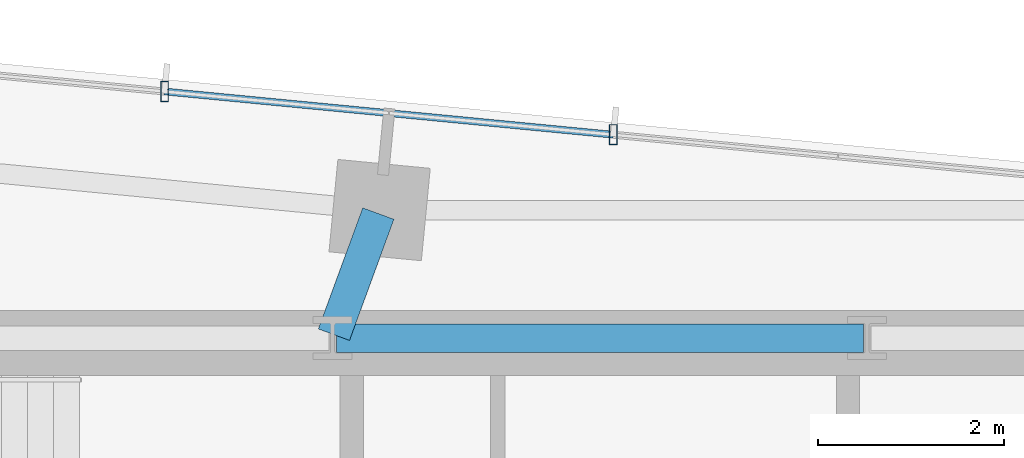
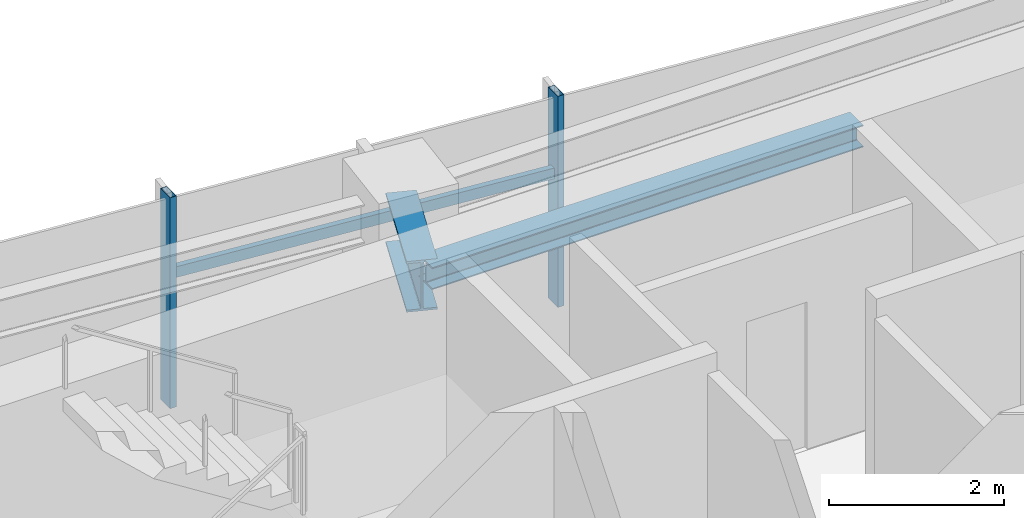
# One storey, part 8 of 20: 3 members, 2 beams, 1 element without a shape of its own.
"""IFC4 building model written with IfcOpenShell, lengths in metres."""

from ifc_helpers import new_model, si_unit, direction, frame, origin, origin_2d, place, context, subcontext, project, spatial, hollow_rectangle, i_section, extrude, source, transform, mapped, material, material_profile, profile_set, type_object, type_shapes, element, aggregate, save


model = new_model("IFC4")

# Units and contexts
model_context = context("Model", 3, precision=1e-05, world=origin(), true_north=direction((0.0, 1.0)))
body_context = subcontext(model_context, "Body", "Model", "MODEL_VIEW")
ifc_project = project(units=[si_unit("LENGTHUNIT", "METRE"), si_unit("AREAUNIT", "SQUARE_METRE"), si_unit("VOLUMEUNIT", "CUBIC_METRE"), si_unit("PLANEANGLEUNIT", "RADIAN"), si_unit("MASSUNIT", "GRAM", prefix="KILO")], contexts=[model_context])

# Site, building, storey
site_placement = place(None, origin())
site = spatial("IfcSite", under=ifc_project, at=site_placement, CompositionType="ELEMENT")
building_placement = place(site_placement, origin())
building = spatial("IfcBuilding", under=site, at=building_placement, Name="Astriad Promenade Condominiums", CompositionType="ELEMENT")
storey_placement = place(building_placement, frame((0.0, 0.0, 131.0)))
storey = spatial("IfcBuildingStorey", under=building, at=storey_placement, Name="L37", CompositionType="ELEMENT", Elevation=131.0)

# Beams
ifc_material_1 = material(Name="Steel ASTM A992 Grade 50", Category="steel")
ifc_material_profile_1 = material_profile(ifc_material_1, i_section(OverallWidth=0.3046875, OverallDepth=0.307861328125, WebThickness=0.010009765625, FlangeThickness=0.015380859375, FilletRadius=0.01513671875, at=origin_2d()), Name="W12X65")
ifc_profile_set_1 = profile_set([ifc_material_profile_1], Name="Steel ASTM A992 Grade 50")
beam_type_1 = type_object("IfcBeamType", Name="STEEL OPENING LINTEL W12X65", PredefinedType="LINTEL", material=ifc_profile_set_1)
shared_shape_1 = source(origin(), body_context, "Body", "SweptSolid", [
    extrude(i_section(OverallWidth=0.3046875, OverallDepth=0.307861328125, WebThickness=0.010009765625, FlangeThickness=0.015380859375, FilletRadius=0.01513671875, at=origin_2d()), origin(), (0.0, 0.0, 1.0), 5.68017578125),
])
type_shapes(beam_type_1, [shared_shape_1])
beam_1_placement = place(storey_placement, frame((33.159912109375, 24.0, 2.7861328125), z_axis=(1.0, 0.0, 0.0), x_axis=(0.0, 1.0, 0.0)))
element("IfcBeam", 1, at=beam_1_placement, inside=storey, type_object=beam_type_1, Name="Core Ring Beam CG-N2-L37", PredefinedType="LINTEL", context=body_context, shape_type="MappedRepresentation", body=[
    mapped(shared_shape_1, transform((0.0, 0.0, 0.0), scale=1.0)),
])
ifc_material_profile_2 = material_profile(ifc_material_1, i_section(OverallWidth=0.35791015625, OverallDepth=0.706298828125, WebThickness=0.018310546875, FlangeThickness=0.0302734375, FilletRadius=0.020263671875, at=origin_2d()), Name="W27X178")
ifc_profile_set_2 = profile_set([ifc_material_profile_2], Name="Steel ASTM A992 Grade 50")
beam_type_2 = type_object("IfcBeamType", Name="STEEL FLOOR GIRDER W27X178", PredefinedType="BEAM", material=ifc_profile_set_2)
shared_shape_2 = source(origin(), body_context, "Body", "SweptSolid", [
    extrude(i_section(OverallWidth=0.35791015625, OverallDepth=0.706298828125, WebThickness=0.018310546875, FlangeThickness=0.0302734375, FilletRadius=0.020263671875, at=origin_2d()), origin(), (0.0, 0.0, 1.0), 1.39013671875),
])
type_shapes(beam_type_2, [shared_shape_2])
beam_2_placement = place(storey_placement, frame((33.6123046875, 25.3427734375, 2.5869140625), z_axis=(-0.344223686797, -0.938887668173, 0.0), x_axis=(0.938887668173, -0.344223686797, 0.0)))
element("IfcBeam", 2, at=beam_2_placement, inside=storey, type_object=beam_type_2, Name="Primary Floor Girder PG-NC-L37", PredefinedType="BEAM", context=body_context, shape_type="MappedRepresentation", body=[
    mapped(shared_shape_2, transform((0.0, 0.0, 0.0), scale=1.0)),
])

# Curtain wall, members
ifc_material_2 = material(Name="Anodised aluminium Black Dark Glass Unitised", Category="aluminium")
curtain_wall_type = type_object("IfcCurtainWallType", Name="CW-B34-DARK", PredefinedType="USERDEFINED", material=ifc_material_2)
curtain_wall_placement = place(storey_placement, origin())
curtain_wall = element("IfcCurtainWall", 3, at=curtain_wall_placement, inside=storey, type_object=curtain_wall_type, Name="CW-L37-N", ObjectType="UNITISED_CURTAIN_WALL", PredefinedType="USERDEFINED")
ifc_material_3 = material(Name="Anodised aluminium 6063-T6 Black", Category="aluminium")
ifc_material_profile_3 = material_profile(ifc_material_3, hollow_rectangle(XDim=0.0849609375, YDim=0.219970703125, WallThickness=0.0048828125, at=origin_2d()), Name="ALU-MUL-85X220")
ifc_profile_set_3 = profile_set([ifc_material_profile_3], Name="Anodised aluminium 6063-T6 Black")
member_type_1 = type_object("IfcMemberType", Name="MUL-ALU-MUL-85X220", PredefinedType="MULLION", material=ifc_profile_set_3)
shared_shape_3 = source(origin(), body_context, "Body", "SweptSolid", [
    extrude(hollow_rectangle(XDim=0.0849609375, YDim=0.219970703125, WallThickness=0.0048828125, at=origin_2d()), origin(), (0.0, 0.0, 1.0), 2.93994140625),
])
type_shapes(member_type_1, [shared_shape_3])
member_1_placement = place(storey_placement, frame((31.30810546875, 26.658447265625, 0.0), z_axis=(0.0, 0.0, 1.0), x_axis=(1.0, 0.0, 0.0)))
member_1 = element("IfcMember", 4, at=member_1_placement, type_object=member_type_1, Name="CW-L37-N-MUL-01", PredefinedType="MULLION", context=body_context, shape_type="MappedRepresentation", body=[
    mapped(shared_shape_3, transform((0.0, 0.0, 0.0), scale=1.0)),
])
member_2_placement = place(storey_placement, frame((36.145751953125, 26.1923828125, 0.0), z_axis=(0.0, 0.0, 1.0), x_axis=(1.0, 0.0, 0.0)))
member_2 = element("IfcMember", 5, at=member_2_placement, type_object=member_type_1, Name="CW-L37-N-MUL-02", PredefinedType="MULLION", context=body_context, shape_type="MappedRepresentation", body=[
    mapped(shared_shape_3, transform((0.0, 0.0, 0.0), scale=1.0)),
])
ifc_material_profile_4 = material_profile(ifc_material_3, hollow_rectangle(XDim=0.074951171875, YDim=0.14990234375, WallThickness=0.004150390625, at=origin_2d()), Name="ALU-TRN-75X150")
ifc_profile_set_4 = profile_set([ifc_material_profile_4], Name="Anodised aluminium 6063-T6 Black")
member_type_2 = type_object("IfcMemberType", Name="TRN-ALU-TRN-75X150", PredefinedType="USERDEFINED", material=ifc_profile_set_4)
shared_shape_4 = source(origin(), body_context, "Body", "SweptSolid", [
    extrude(hollow_rectangle(XDim=0.074951171875, YDim=0.14990234375, WallThickness=0.004150390625, at=origin_2d()), origin(), (0.0, 0.0, 1.0), 4.860107421875),
])
type_shapes(member_type_2, [shared_shape_4])
member_3_placement = place(storey_placement, frame((31.30810546875, 26.658447265625, 1.82275390625), z_axis=(0.995391248663, -0.09589714326, 0.0), x_axis=(0.09589714326, 0.995391248663, 0.0)))
member_3 = element("IfcMember", 6, at=member_3_placement, type_object=member_type_2, Name="CW-L37-N-TRN-01-0", ObjectType="TRANSOM", PredefinedType="USERDEFINED", context=body_context, shape_type="MappedRepresentation", body=[
    mapped(shared_shape_4, transform((0.0, 0.0, 0.0), scale=1.0)),
])
aggregate(curtain_wall, [member_1, member_2, member_3])

save(model, "model.ifc")
